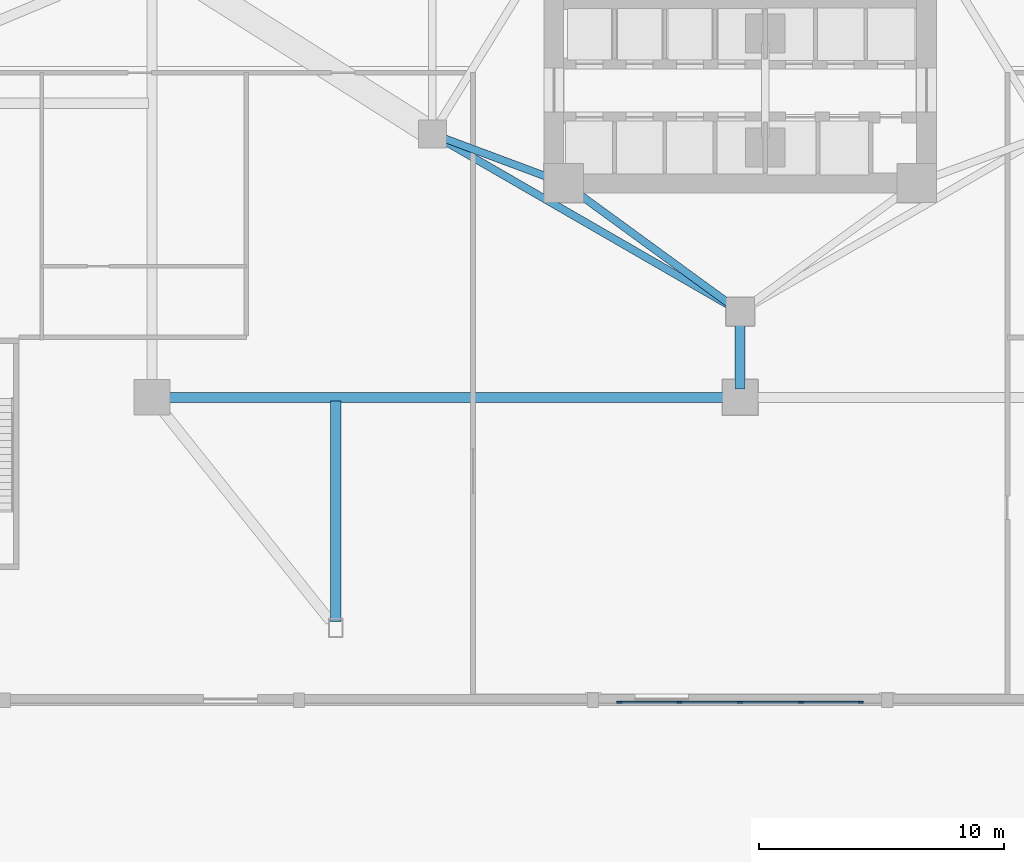
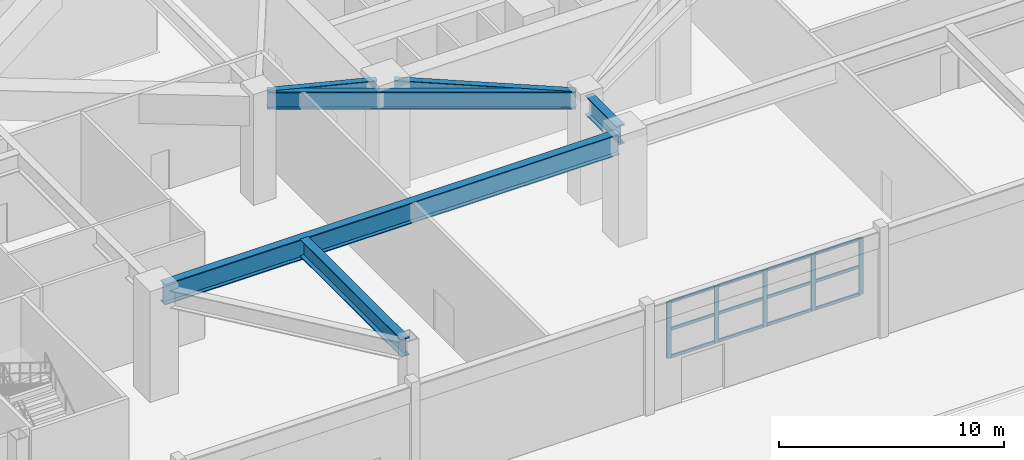
# One storey, part 2 of 24: 17 members, 6 beams, 1 element without a shape of its own.
"""IFC4 building model written with IfcOpenShell, lengths in metres."""

from ifc_helpers import new_model, si_unit, direction, frame, origin, origin_2d, place, context, subcontext, project, spatial, rectangle, i_section, extrude, material, layer, layer_set, material_profile, profile_set, type_object, element, aggregate, save


model = new_model("IFC4")

# Units and contexts
model_context = context("Model", 3, precision=1e-05, world=origin(), true_north=direction((0.0, 1.0)))
body_context = subcontext(model_context, "Body", "Model", "MODEL_VIEW")
ifc_project = project(units=[si_unit("LENGTHUNIT", "METRE"), si_unit("AREAUNIT", "SQUARE_METRE"), si_unit("VOLUMEUNIT", "CUBIC_METRE"), si_unit("PLANEANGLEUNIT", "RADIAN"), si_unit("MASSUNIT", "GRAM", prefix="KILO")], contexts=[model_context])

# Site, building, storey
site_placement = place(None, origin())
site = spatial("IfcSite", under=ifc_project, at=site_placement, CompositionType="ELEMENT")
building_placement = place(site_placement, origin())
building = spatial("IfcBuilding", under=site, at=building_placement, Name="Apsidion Concourse Tower", CompositionType="ELEMENT")
storey_placement = place(building_placement, origin())
storey = spatial("IfcBuildingStorey", under=building, at=storey_placement, Name="L00", CompositionType="ELEMENT", Elevation=0.0)

# Beams
ifc_material_1 = material(Name="Structural steel ASTM A992 Grade 50", Category="steel")
ifc_material_profile_1 = material_profile(ifc_material_1, i_section(OverallWidth=0.31005859375, OverallDepth=0.931884765625, WebThickness=0.02099609375, FlangeThickness=0.034423828125, at=origin_2d()), Name="W36X210")
ifc_profile_set_1 = profile_set([ifc_material_profile_1], Name="Structural steel ASTM A992 Grade 50")
beam_type_1 = type_object("IfcBeamType", Name="BM-G-W36", PredefinedType="USERDEFINED", material=ifc_profile_set_1)
beam_1_placement = place(storey_placement, frame((-12.185302734375, -7.389892578125, 5.23388671875), z_axis=(0.936913021145, -0.349562570664, 0.0), x_axis=(0.349562570664, 0.936913021145, 0.0)))
element("IfcBeam", 1, at=beam_1_placement, inside=storey, type_object=beam_type_1, Name="L00 Core Coupling Girder IC1-SC1", ObjectType="GIRDER", PredefinedType="USERDEFINED", context=body_context, shape_type="SweptSolid", body=[
    extrude(i_section(OverallWidth=0.31005859375, OverallDepth=0.931884765625, WebThickness=0.02099609375, FlangeThickness=0.034423828125, at=origin_2d()), origin(), (0.0, 0.0, 1.0), 4.921142578125),
])
beam_2_placement = place(storey_placement, frame((-0.3232421875, -14.264404296875, 5.23388671875), z_axis=(-0.807993498909, 0.589191399905, 0.0), x_axis=(-0.589191399905, -0.807993498909, 0.0)))
element("IfcBeam", 2, at=beam_2_placement, inside=storey, type_object=beam_type_1, Name="L00 Core Coupling Girder IC6-SC1", ObjectType="GIRDER", PredefinedType="USERDEFINED", context=body_context, shape_type="SweptSolid", body=[
    extrude(i_section(OverallWidth=0.31005859375, OverallDepth=0.931884765625, WebThickness=0.02099609375, FlangeThickness=0.034423828125, at=origin_2d()), origin(), (0.0, 0.0, 1.0), 8.11083984375),
])
beam_3_placement = place(storey_placement, frame((-0.346435546875, -14.300048828125, 5.23388671875), z_axis=(-0.866070471464, 0.499921932364, 0.0), x_axis=(-0.499921932364, -0.866070471464, 0.0)))
element("IfcBeam", 3, at=beam_3_placement, inside=storey, type_object=beam_type_1, Name="L00 Core Coupling Girder IC6-IC1", ObjectType="GIRDER", PredefinedType="USERDEFINED", context=body_context, shape_type="SweptSolid", body=[
    extrude(i_section(OverallWidth=0.31005859375, OverallDepth=0.931884765625, WebThickness=0.02099609375, FlangeThickness=0.034423828125, at=origin_2d()), origin(), (0.0, 0.0, 1.0), 13.702392578125),
])
ifc_material_profile_2 = material_profile(ifc_material_1, i_section(OverallWidth=0.423095703125, OverallDepth=0.947998046875, WebThickness=0.02392578125, FlangeThickness=0.042724609375, at=origin_2d()), Name="W36X302")
ifc_profile_set_2 = profile_set([ifc_material_profile_2], Name="Structural steel ASTM A992 Grade 50")
beam_type_2 = type_object("IfcBeamType", Name="BM-G-W36H", PredefinedType="USERDEFINED", material=ifc_profile_set_2)
beam_4_placement = place(storey_placement, frame((-16.5, -27.14990234375, 5.22607421875), z_axis=(0.0, 1.0, 0.0), x_axis=(-1.0, 0.0, 0.0)))
element("IfcBeam", 4, at=beam_4_placement, inside=storey, type_object=beam_type_2, Name="L00 Podium Radial Frame Girder PC09", ObjectType="GIRDER", PredefinedType="USERDEFINED", context=body_context, shape_type="SweptSolid", body=[
    extrude(i_section(OverallWidth=0.423095703125, OverallDepth=0.947998046875, WebThickness=0.02392578125, FlangeThickness=0.042724609375, at=origin_2d()), origin(), (0.0, 0.0, 1.0), 9.0),
])
ifc_material_profile_3 = material_profile(ifc_material_1, i_section(OverallWidth=0.408935546875, OverallDepth=1.041015625, WebThickness=0.031005859375, FlangeThickness=0.055908203125, at=origin_2d()), Name="W40X397")
ifc_profile_set_3 = profile_set([ifc_material_profile_3], Name="Structural steel ASTM A992 Grade 50")
beam_type_3 = type_object("IfcBeamType", Name="BM-G-W40H", PredefinedType="USERDEFINED", material=ifc_profile_set_3)
beam_5_placement = place(storey_placement, frame((0.0, -17.64990234375, 5.179443359375), z_axis=(0.0, 1.0, 0.0), x_axis=(-1.0, 0.0, 0.0)))
element("IfcBeam", 5, at=beam_5_placement, inside=storey, type_object=beam_type_3, Name="L00 Podium Girder MC7-IC6", ObjectType="GIRDER", PredefinedType="USERDEFINED", context=body_context, shape_type="SweptSolid", body=[
    extrude(i_section(OverallWidth=0.408935546875, OverallDepth=1.041015625, WebThickness=0.031005859375, FlangeThickness=0.055908203125, at=origin_2d()), origin(), (0.0, 0.0, 1.0), 2.7998046875),
])
ifc_material_profile_4 = material_profile(ifc_material_1, i_section(OverallWidth=0.405029296875, OverallDepth=1.117919921875, WebThickness=0.026123046875, FlangeThickness=0.044921875, at=origin_2d()), Name="W44X335")
ifc_profile_set_4 = profile_set([ifc_material_profile_4], Name="Structural steel ASTM A992 Grade 50")
beam_type_4 = type_object("IfcBeamType", Name="BM-G-W44", PredefinedType="USERDEFINED", material=ifc_profile_set_4)
beam_6_placement = place(storey_placement, frame((-23.64990234375, -18.0, 5.14111328125), z_axis=(1.0, 0.0, 0.0), x_axis=(0.0, 1.0, 0.0)))
element("IfcBeam", 6, at=beam_6_placement, inside=storey, type_object=beam_type_4, Name="L00 Podium Girder MC1-MC7", ObjectType="GIRDER", PredefinedType="USERDEFINED", context=body_context, shape_type="SweptSolid", body=[
    extrude(i_section(OverallWidth=0.405029296875, OverallDepth=1.117919921875, WebThickness=0.026123046875, FlangeThickness=0.044921875, at=origin_2d()), origin(), (0.0, 0.0, 1.0), 23.2998046875),
])

# Curtain wall, members
ifc_material_2 = material(Name="Insulated laminated low-E glass", Category="glass")
ifc_layer = layer(ifc_material_2, 0.18994140625)
ifc_layer_set = layer_set([ifc_layer], Name="Insulated laminated low-E glass")
curtain_wall_type = type_object("IfcCurtainWallType", Name="CW-SYS-01", PredefinedType="NOTDEFINED", material=ifc_layer_set)
curtain_wall_placement = place(storey_placement, origin())
curtain_wall = element("IfcCurtainWall", 7, at=curtain_wall_placement, inside=storey, type_object=curtain_wall_type, Name="L00 Podium Glazed Curtain Wall S", PredefinedType="NOTDEFINED")
ifc_material_3 = material(Name="Anodised aluminium EN AW-6063 T6", Category="aluminium")
ifc_material_profile_5 = material_profile(ifc_material_3, rectangle(XDim=0.074951171875, YDim=0.219970703125, at=origin_2d()), Name="ALU MULLION 75x220")
ifc_profile_set_5 = profile_set([ifc_material_profile_5], Name="Anodised aluminium EN AW-6063 T6")
member_type_1 = type_object("IfcMemberType", Name="CWM-75X220", PredefinedType="MULLION", material=ifc_profile_set_5)
member_1_placement = place(storey_placement, frame((4.91845703125, -30.43994140625, 2.60009765625), z_axis=(0.0, 0.0, 1.0), x_axis=(0.0, -1.0, 0.0)))
member_1 = element("IfcMember", 8, at=member_1_placement, type_object=member_type_1, Name="CW-01 mullion 1", PredefinedType="MULLION", context=body_context, shape_type="SweptSolid", body=[
    extrude(rectangle(XDim=0.074951171875, YDim=0.219970703125, at=origin_2d()), origin(), (0.0, 0.0, 1.0), 3.0498046875),
])
member_2_placement = place(storey_placement, frame((2.47802734375, -30.43994140625, 2.60009765625), z_axis=(0.0, 0.0, 1.0), x_axis=(0.0, -1.0, 0.0)))
member_2 = element("IfcMember", 9, at=member_2_placement, type_object=member_type_1, Name="CW-01 mullion 2", PredefinedType="MULLION", context=body_context, shape_type="SweptSolid", body=[
    extrude(rectangle(XDim=0.074951171875, YDim=0.219970703125, at=origin_2d()), origin(), (0.0, 0.0, 1.0), 3.0498046875),
])
member_3_placement = place(storey_placement, frame((0.0, -30.43994140625, 2.60009765625), z_axis=(0.0, 0.0, 1.0), x_axis=(0.0, -1.0, 0.0)))
member_3 = element("IfcMember", 10, at=member_3_placement, type_object=member_type_1, Name="CW-01 mullion 3", PredefinedType="MULLION", context=body_context, shape_type="SweptSolid", body=[
    extrude(rectangle(XDim=0.074951171875, YDim=0.219970703125, at=origin_2d()), origin(), (0.0, 0.0, 1.0), 3.0498046875),
])
member_4_placement = place(storey_placement, frame((-2.47802734375, -30.43994140625, 2.60009765625), z_axis=(0.0, 0.0, 1.0), x_axis=(0.0, -1.0, 0.0)))
member_4 = element("IfcMember", 11, at=member_4_placement, type_object=member_type_1, Name="CW-01 mullion 4", PredefinedType="MULLION", context=body_context, shape_type="SweptSolid", body=[
    extrude(rectangle(XDim=0.074951171875, YDim=0.219970703125, at=origin_2d()), origin(), (0.0, 0.0, 1.0), 3.0498046875),
])
member_5_placement = place(storey_placement, frame((-4.91845703125, -30.43994140625, 2.60009765625), z_axis=(0.0, 0.0, 1.0), x_axis=(0.0, -1.0, 0.0)))
member_5 = element("IfcMember", 12, at=member_5_placement, type_object=member_type_1, Name="CW-01 mullion 5", PredefinedType="MULLION", context=body_context, shape_type="SweptSolid", body=[
    extrude(rectangle(XDim=0.074951171875, YDim=0.219970703125, at=origin_2d()), origin(), (0.0, 0.0, 1.0), 3.0498046875),
])
ifc_material_profile_6 = material_profile(ifc_material_3, rectangle(XDim=0.074951171875, YDim=0.159912109375, at=origin_2d()), Name="ALU TRANSOM 75x160")
ifc_profile_set_6 = profile_set([ifc_material_profile_6], Name="Anodised aluminium EN AW-6063 T6")
member_type_2 = type_object("IfcMemberType", Name="CWT-75X160", PredefinedType="USERDEFINED", material=ifc_profile_set_6)
member_6_placement = place(storey_placement, frame((4.881103515625, -30.43994140625, 2.637451171875), z_axis=(-1.0, 0.0, 0.0), x_axis=(0.0, -1.0, 0.0)))
member_6 = element("IfcMember", 13, at=member_6_placement, type_object=member_type_2, Name="CW-01 transom 1.1", ObjectType="TRANSOM", PredefinedType="USERDEFINED", context=body_context, shape_type="SweptSolid", body=[
    extrude(rectangle(XDim=0.074951171875, YDim=0.159912109375, at=origin_2d()), origin(), (0.0, 0.0, 1.0), 2.36572265625),
])
member_7_placement = place(storey_placement, frame((4.881103515625, -30.43994140625, 4.125), z_axis=(-1.0, 0.0, 0.0), x_axis=(0.0, -1.0, 0.0)))
member_7 = element("IfcMember", 14, at=member_7_placement, type_object=member_type_2, Name="CW-01 transom 1.2", ObjectType="TRANSOM", PredefinedType="USERDEFINED", context=body_context, shape_type="SweptSolid", body=[
    extrude(rectangle(XDim=0.074951171875, YDim=0.159912109375, at=origin_2d()), origin(), (0.0, 0.0, 1.0), 2.36572265625),
])
member_8_placement = place(storey_placement, frame((4.881103515625, -30.43994140625, 5.612548828125), z_axis=(-1.0, 0.0, 0.0), x_axis=(0.0, -1.0, 0.0)))
member_8 = element("IfcMember", 15, at=member_8_placement, type_object=member_type_2, Name="CW-01 transom 1.3", ObjectType="TRANSOM", PredefinedType="USERDEFINED", context=body_context, shape_type="SweptSolid", body=[
    extrude(rectangle(XDim=0.074951171875, YDim=0.159912109375, at=origin_2d()), origin(), (0.0, 0.0, 1.0), 2.36572265625),
])
member_9_placement = place(storey_placement, frame((2.4404296875, -30.43994140625, 2.637451171875), z_axis=(-1.0, 0.0, 0.0), x_axis=(0.0, -1.0, 0.0)))
member_9 = element("IfcMember", 16, at=member_9_placement, type_object=member_type_2, Name="CW-01 transom 2.1", ObjectType="TRANSOM", PredefinedType="USERDEFINED", context=body_context, shape_type="SweptSolid", body=[
    extrude(rectangle(XDim=0.074951171875, YDim=0.159912109375, at=origin_2d()), origin(), (0.0, 0.0, 1.0), 2.40283203125),
])
member_10_placement = place(storey_placement, frame((2.4404296875, -30.43994140625, 4.125), z_axis=(-1.0, 0.0, 0.0), x_axis=(0.0, -1.0, 0.0)))
member_10 = element("IfcMember", 17, at=member_10_placement, type_object=member_type_2, Name="CW-01 transom 2.2", ObjectType="TRANSOM", PredefinedType="USERDEFINED", context=body_context, shape_type="SweptSolid", body=[
    extrude(rectangle(XDim=0.074951171875, YDim=0.159912109375, at=origin_2d()), origin(), (0.0, 0.0, 1.0), 2.40283203125),
])
member_11_placement = place(storey_placement, frame((2.4404296875, -30.43994140625, 5.612548828125), z_axis=(-1.0, 0.0, 0.0), x_axis=(0.0, -1.0, 0.0)))
member_11 = element("IfcMember", 18, at=member_11_placement, type_object=member_type_2, Name="CW-01 transom 2.3", ObjectType="TRANSOM", PredefinedType="USERDEFINED", context=body_context, shape_type="SweptSolid", body=[
    extrude(rectangle(XDim=0.074951171875, YDim=0.159912109375, at=origin_2d()), origin(), (0.0, 0.0, 1.0), 2.40283203125),
])
member_12_placement = place(storey_placement, frame((-0.03759765625, -30.43994140625, 2.637451171875), z_axis=(-1.0, 0.0, 0.0), x_axis=(0.0, -1.0, 0.0)))
member_12 = element("IfcMember", 19, at=member_12_placement, type_object=member_type_2, Name="CW-01 transom 3.1", ObjectType="TRANSOM", PredefinedType="USERDEFINED", context=body_context, shape_type="SweptSolid", body=[
    extrude(rectangle(XDim=0.074951171875, YDim=0.159912109375, at=origin_2d()), origin(), (0.0, 0.0, 1.0), 2.40283203125),
])
member_13_placement = place(storey_placement, frame((-0.03759765625, -30.43994140625, 4.125), z_axis=(-1.0, 0.0, 0.0), x_axis=(0.0, -1.0, 0.0)))
member_13 = element("IfcMember", 20, at=member_13_placement, type_object=member_type_2, Name="CW-01 transom 3.2", ObjectType="TRANSOM", PredefinedType="USERDEFINED", context=body_context, shape_type="SweptSolid", body=[
    extrude(rectangle(XDim=0.074951171875, YDim=0.159912109375, at=origin_2d()), origin(), (0.0, 0.0, 1.0), 2.40283203125),
])
member_14_placement = place(storey_placement, frame((-0.03759765625, -30.43994140625, 5.612548828125), z_axis=(-1.0, 0.0, 0.0), x_axis=(0.0, -1.0, 0.0)))
member_14 = element("IfcMember", 21, at=member_14_placement, type_object=member_type_2, Name="CW-01 transom 3.3", ObjectType="TRANSOM", PredefinedType="USERDEFINED", context=body_context, shape_type="SweptSolid", body=[
    extrude(rectangle(XDim=0.074951171875, YDim=0.159912109375, at=origin_2d()), origin(), (0.0, 0.0, 1.0), 2.40283203125),
])
member_15_placement = place(storey_placement, frame((-2.515380859375, -30.43994140625, 2.637451171875), z_axis=(-1.0, 0.0, 0.0), x_axis=(0.0, -1.0, 0.0)))
member_15 = element("IfcMember", 22, at=member_15_placement, type_object=member_type_2, Name="CW-01 transom 4.1", ObjectType="TRANSOM", PredefinedType="USERDEFINED", context=body_context, shape_type="SweptSolid", body=[
    extrude(rectangle(XDim=0.074951171875, YDim=0.159912109375, at=origin_2d()), origin(), (0.0, 0.0, 1.0), 2.36572265625),
])
member_16_placement = place(storey_placement, frame((-2.515380859375, -30.43994140625, 4.125), z_axis=(-1.0, 0.0, 0.0), x_axis=(0.0, -1.0, 0.0)))
member_16 = element("IfcMember", 23, at=member_16_placement, type_object=member_type_2, Name="CW-01 transom 4.2", ObjectType="TRANSOM", PredefinedType="USERDEFINED", context=body_context, shape_type="SweptSolid", body=[
    extrude(rectangle(XDim=0.074951171875, YDim=0.159912109375, at=origin_2d()), origin(), (0.0, 0.0, 1.0), 2.36572265625),
])
member_17_placement = place(storey_placement, frame((-2.515380859375, -30.43994140625, 5.612548828125), z_axis=(-1.0, 0.0, 0.0), x_axis=(0.0, -1.0, 0.0)))
member_17 = element("IfcMember", 24, at=member_17_placement, type_object=member_type_2, Name="CW-01 transom 4.3", ObjectType="TRANSOM", PredefinedType="USERDEFINED", context=body_context, shape_type="SweptSolid", body=[
    extrude(rectangle(XDim=0.074951171875, YDim=0.159912109375, at=origin_2d()), origin(), (0.0, 0.0, 1.0), 2.36572265625),
])
aggregate(curtain_wall, [member_1, member_2, member_3, member_4, member_5, member_6, member_7, member_8, member_9, member_10, member_11, member_12, member_13, member_14, member_15, member_16, member_17])

save(model, "model.ifc")
